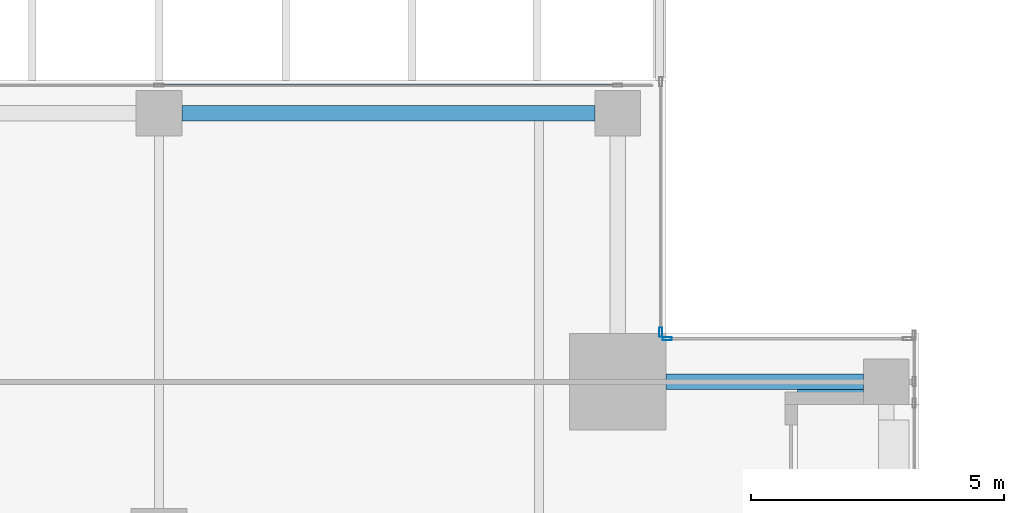
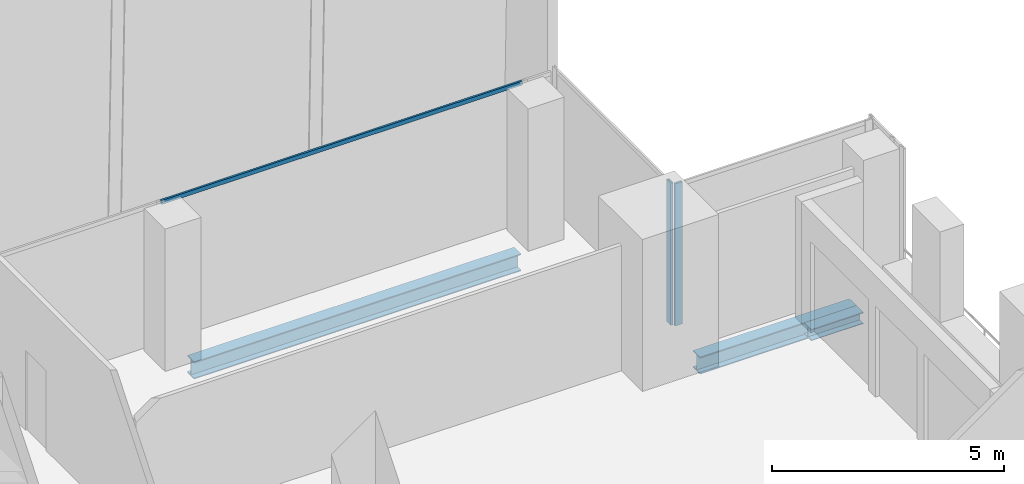
# One storey, part 20 of 35: 3 beams, 3 members, 3 elements without a shape of their own.
"""IFC4 building model written with IfcOpenShell, lengths in metres."""

from ifc_helpers import new_model, si_unit, direction, frame, origin, origin_2d, place, context, subcontext, project, spatial, hollow_rectangle, i_section, extrude, source, transform, mapped, material, material_profile, profile_set, type_object, element, aggregate, save


model = new_model("IFC4")

# Units and contexts
model_context = context("Model", 3, precision=1e-05, world=origin(), true_north=direction((0.0, 1.0)))
body_context = subcontext(model_context, "Body", "Model", "MODEL_VIEW")
ifc_project = project(units=[si_unit("LENGTHUNIT", "METRE"), si_unit("AREAUNIT", "SQUARE_METRE"), si_unit("VOLUMEUNIT", "CUBIC_METRE"), si_unit("PLANEANGLEUNIT", "RADIAN"), si_unit("MASSUNIT", "GRAM", prefix="KILO")], contexts=[model_context])

# Site, building, storey
site_placement = place(None, origin())
site = spatial("IfcSite", under=ifc_project, at=site_placement, CompositionType="ELEMENT")
building_placement = place(site_placement, origin())
building = spatial("IfcBuilding", under=site, at=building_placement, Name="Khomas Fold Tower", CompositionType="ELEMENT")
storey_placement = place(building_placement, frame((0.0, 0.0, 246.199951171875)))
storey = spatial("IfcBuildingStorey", under=building, at=storey_placement, Name="L55", CompositionType="ELEMENT", Elevation=246.199951171875)

# Beams
ifc_material_1 = material(Name="Steel S355", Category="steel")
ifc_material_profile_1 = material_profile(ifc_material_1, i_section(OverallWidth=0.300048828125, OverallDepth=0.449951171875, WebThickness=0.013916015625, FlangeThickness=0.02587890625, at=origin_2d()), Name="HE 450 B")
ifc_profile_set_1 = profile_set([ifc_material_profile_1], Name="Steel S355")
beam_type_1 = type_object("IfcBeamType", Name="HE 450 B spandrel SB4", PredefinedType="SPANDREL", material=ifc_profile_set_1)
shared_shape_1 = source(origin(), body_context, "Body", "SweptSolid", [
    extrude(i_section(OverallWidth=0.300048828125, OverallDepth=0.449951171875, WebThickness=0.013916015625, FlangeThickness=0.02587890625, at=origin_2d()), origin(), (0.0, 0.0, 1.0), 8.150146484375),
])
beam_1_placement = place(storey_placement, frame((34.949951171875, 48.85009765625, -0.474853515625), z_axis=(1.0, 0.0, 0.0), x_axis=(0.0, 1.0, 0.0)))
element("IfcBeam", 1, at=beam_1_placement, inside=storey, type_object=beam_type_1, Name="SB4", PredefinedType="SPANDREL", context=body_context, shape_type="MappedRepresentation", body=[
    mapped(shared_shape_1, transform((0.0, 0.0, 0.0))),
])
shared_shape_2 = source(origin(), body_context, "Body", "SweptSolid", [
    extrude(i_section(OverallWidth=0.300048828125, OverallDepth=0.449951171875, WebThickness=0.013916015625, FlangeThickness=0.02587890625, at=origin_2d()), origin(), (0.0, 0.0, 1.0), 3.89990234375),
])
beam_2_placement = place(storey_placement, frame((44.5, 43.550048828125, -0.474853515625), z_axis=(1.0, 0.0, 0.0), x_axis=(0.0, 1.0, 0.0)))
element("IfcBeam", 2, at=beam_2_placement, inside=storey, type_object=beam_type_1, Name="SB4", PredefinedType="SPANDREL", context=body_context, shape_type="MappedRepresentation", body=[
    mapped(shared_shape_2, transform((0.0, 0.0, 0.0))),
])
ifc_material_2 = material(Name="Steel S355", Category="steel")
ifc_material_profile_2 = material_profile(ifc_material_2, i_section(OverallWidth=0.300048828125, OverallDepth=0.300048828125, WebThickness=0.010986328125, FlangeThickness=0.01904296875, at=origin_2d()), Name="HE 300 B")
ifc_profile_set_2 = profile_set([ifc_material_profile_2], Name="Steel S355")
beam_type_2 = type_object("IfcBeamType", Name="HE 300 B beam BB1", PredefinedType="BEAM", material=ifc_profile_set_2)
shared_shape_3 = source(origin(), body_context, "Body", "SweptSolid", [
    extrude(i_section(OverallWidth=0.300048828125, OverallDepth=0.300048828125, WebThickness=0.010986328125, FlangeThickness=0.01904296875, at=origin_2d()), origin(), (0.0, 0.0, 1.0), 1.2998046875),
])
beam_3_placement = place(storey_placement, frame((47.10009765625, 43.25, -0.39990234375), z_axis=(1.0, 0.0, 0.0), x_axis=(0.0, 1.0, 0.0)))
element("IfcBeam", 3, at=beam_3_placement, inside=storey, type_object=beam_type_2, Name="BB1", PredefinedType="BEAM", context=body_context, shape_type="MappedRepresentation", body=[
    mapped(shared_shape_3, transform((0.0, 0.0, 0.0))),
])

# Curtain wall, member
ifc_material_3 = material(Name="Aluminium framed double glazing", Category="aluminium")
curtain_wall_type = type_object("IfcCurtainWallType", Name="SK-Unitised clear-glass wall, office floors CW2", PredefinedType="NOTDEFINED", material=ifc_material_3)
curtain_wall_1_placement = place(storey_placement, origin())
curtain_wall_1 = element("IfcCurtainWall", 4, at=curtain_wall_1_placement, inside=storey, type_object=curtain_wall_type, Name="CW2 corner return L55 04", PredefinedType="NOTDEFINED")
ifc_material_4 = material(Name="Aluminium", Category="aluminium")
ifc_material_profile_3 = material_profile(ifc_material_4, hollow_rectangle(XDim=0.06005859375, YDim=0.179931640625, WallThickness=0.00390625, at=origin_2d()), Name="SK-Unitised clear-glass wall, office floors mullion CW2-M")
ifc_profile_set_3 = profile_set([ifc_material_profile_3], Name="Aluminium")
member_type_1 = type_object("IfcMemberType", Name="SK-Unitised clear-glass wall, office floors mullion CW2-M", PredefinedType="MULLION", material=ifc_profile_set_3)
shared_shape_4 = source(origin(), body_context, "Body", "SweptSolid", [
    extrude(hollow_rectangle(XDim=0.06005859375, YDim=0.179931640625, WallThickness=0.00390625, at=origin_2d()), origin(), (0.0, 0.0, 1.0), 3.75),
])
member_1_placement = place(storey_placement, frame((44.530029296875, 44.39990234375, 0.0), z_axis=(0.0, 0.0, 1.0), x_axis=(0.0, -1.0, 0.0)))
member_1 = element("IfcMember", 5, at=member_1_placement, type_object=member_type_1, Name="CW2 mullion 2", PredefinedType="MULLION", context=body_context, shape_type="MappedRepresentation", body=[
    mapped(shared_shape_4, transform((0.0, 0.0, 0.0))),
])
aggregate(curtain_wall_1, [member_1])

curtain_wall_2_placement = place(storey_placement, origin())
curtain_wall_2 = element("IfcCurtainWall", 6, at=curtain_wall_2_placement, inside=storey, type_object=curtain_wall_type, Name="CW2 corner return L55 05", PredefinedType="NOTDEFINED")
member_2_placement = place(storey_placement, frame((44.39990234375, 44.530029296875, 0.0), z_axis=(0.0, 0.0, 1.0), x_axis=(-1.0, 0.0, 0.0)))
member_2 = element("IfcMember", 7, at=member_2_placement, type_object=member_type_1, Name="CW2 mullion 1", PredefinedType="MULLION", context=body_context, shape_type="MappedRepresentation", body=[
    mapped(shared_shape_4, transform((0.0, 0.0, 0.0))),
])
aggregate(curtain_wall_2, [member_2])

curtain_wall_3_placement = place(storey_placement, origin())
curtain_wall_3 = element("IfcCurtainWall", 8, at=curtain_wall_3_placement, inside=storey, type_object=curtain_wall_type, Name="CW2 run L55 06-0", PredefinedType="NOTDEFINED")
ifc_material_5 = material(Name="Aluminium", Category="aluminium")
ifc_material_profile_4 = material_profile(ifc_material_5, hollow_rectangle(XDim=0.050048828125, YDim=0.110107421875, WallThickness=0.00390625, at=origin_2d()), Name="SK-Unitised clear-glass wall, office floors transom CW2-T")
ifc_profile_set_4 = profile_set([ifc_material_profile_4], Name="Aluminium")
member_type_2 = type_object("IfcMemberType", Name="SK-Unitised clear-glass wall, office floors transom CW2-T", PredefinedType="USERDEFINED", material=ifc_profile_set_4)
shared_shape_5 = source(origin(), body_context, "Body", "SweptSolid", [
    extrude(hollow_rectangle(XDim=0.050048828125, YDim=0.110107421875, WallThickness=0.00390625, at=origin_2d()), origin(), (0.0, 0.0, 1.0), 8.989990234375),
])
member_3_placement = place(storey_placement, frame((43.52001953125, 49.39990234375, 3.695068359375), z_axis=(-1.0, 0.0, 0.0), x_axis=(0.0, -1.0, 0.0)))
member_3 = element("IfcMember", 9, at=member_3_placement, type_object=member_type_2, Name="CW2 transom 2", ObjectType="TRANSOM", PredefinedType="USERDEFINED", context=body_context, shape_type="MappedRepresentation", body=[
    mapped(shared_shape_5, transform((0.0, 0.0, 0.0))),
])
aggregate(curtain_wall_3, [member_3])

save(model, "model.ifc")
